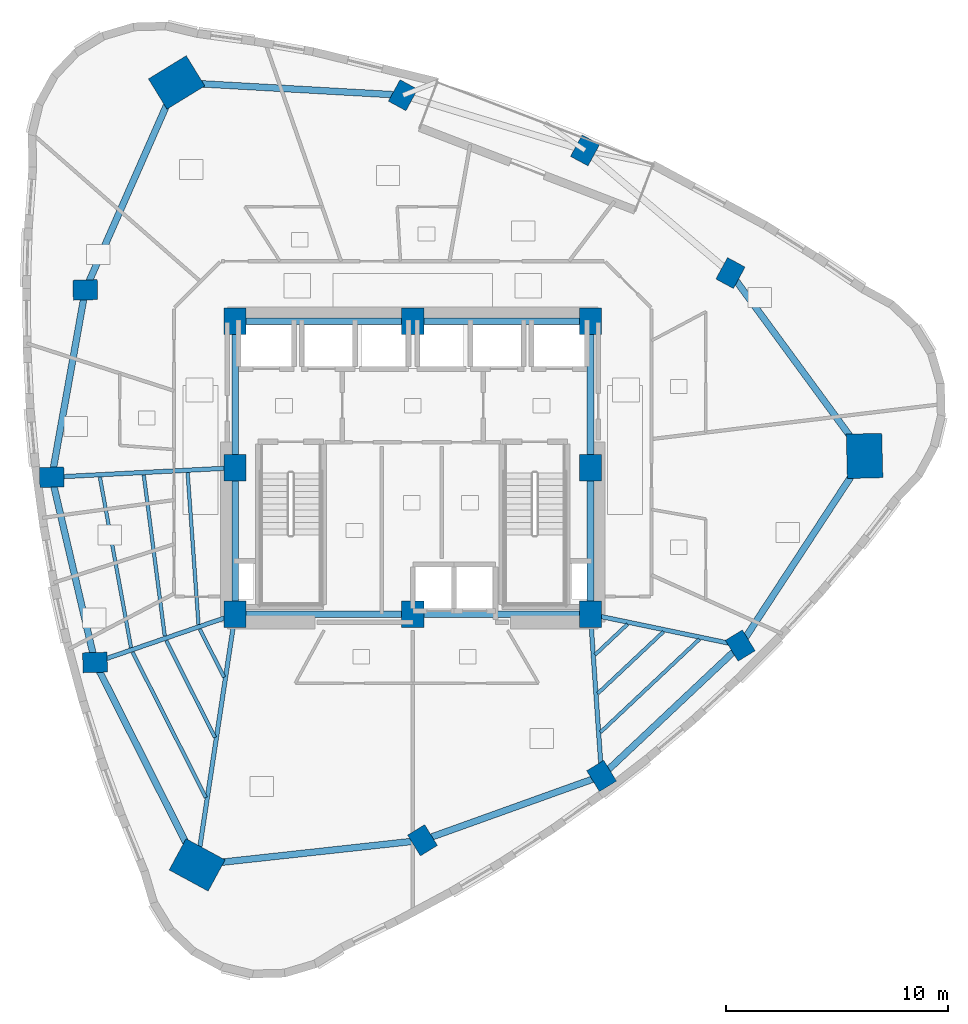
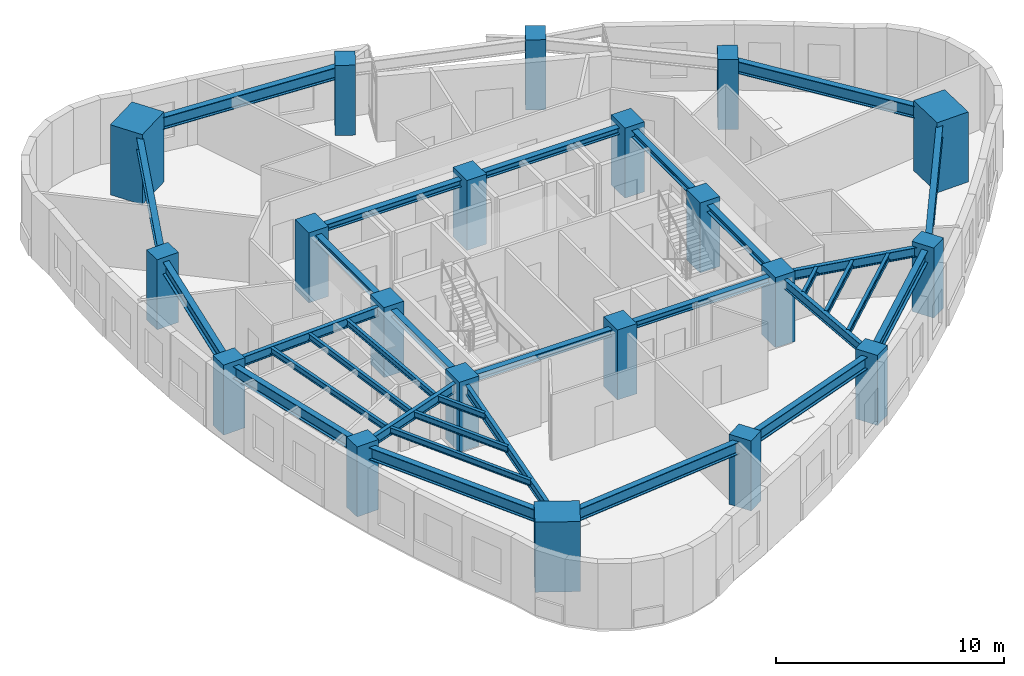
# One storey, part 1 of 12: 32 beams, 20 columns.
"""IFC4 building model written with IfcOpenShell, lengths in metres."""

from ifc_helpers import new_model, si_unit, direction, frame, origin, origin_2d, place, context, subcontext, project, spatial, rectangle, i_section, extrude, material, material_profile, profile_set, type_object, element, save


model = new_model("IFC4")

# Units and contexts
model_context = context("Model", 3, precision=1e-05, world=origin(), true_north=direction((0.0, 1.0)))
body_context = subcontext(model_context, "Body", "Model", "MODEL_VIEW")
ifc_project = project(units=[si_unit("LENGTHUNIT", "METRE"), si_unit("AREAUNIT", "SQUARE_METRE"), si_unit("VOLUMEUNIT", "CUBIC_METRE"), si_unit("PLANEANGLEUNIT", "RADIAN"), si_unit("MASSUNIT", "GRAM", prefix="KILO")], contexts=[model_context])

# Site, building, storey
site_placement = place(None, origin())
site = spatial("IfcSite", under=ifc_project, at=site_placement, CompositionType="ELEMENT")
building_placement = place(site_placement, origin())
building = spatial("IfcBuilding", under=site, at=building_placement, Name="Ndelora Gate Hotel", CompositionType="ELEMENT")
storey_placement = place(building_placement, frame((0.0, 0.0, 161.0)))
storey = spatial("IfcBuildingStorey", under=building, at=storey_placement, Name="L40", CompositionType="ELEMENT", Elevation=161.0)

# Columns
ifc_material_1 = material(Name="Concrete C60/75", Category="concrete")
ifc_material_profile_1 = material_profile(ifc_material_1, rectangle(XDim=1.0, YDim=1.199951171875, at=origin_2d()), Name="RC 1200x1000")
ifc_profile_set_1 = profile_set([ifc_material_profile_1], Name="Concrete C60/75")
column_type_1 = type_object("IfcColumnType", Name="COL-CC-MID", PredefinedType="COLUMN", material=ifc_profile_set_1)
for number, where, z_axis, x_axis, name in (
    (1, (-8.0, -6.60009765625, 0.0), (0.0, 0.0, 1.0), (1.0, 0.0, 0.0), "L40 Core Column CC1"),
    (2, (0.0, -6.60009765625, 0.0), (0.0, 0.0, 1.0), (1.0, 0.0, 0.0), "L40 Core Column CC2"),
    (3, (8.0, -6.60009765625, 0.0), (0.0, 0.0, 1.0), (1.0, 0.0, 0.0), "L40 Core Column CC3"),
    (4, (8.0, 0.0, 0.0), (0.0, 0.0, 1.0), (1.0, 0.0, 0.0), "L40 Core Column CC4"),
    (5, (8.0, 6.60009765625, 0.0), (0.0, 0.0, 1.0), (1.0, 0.0, 0.0), "L40 Core Column CC5"),
    (6, (0.0, 6.60009765625, 0.0), (0.0, 0.0, 1.0), (1.0, 0.0, 0.0), "L40 Core Column CC6"),
    (7, (-8.0, 6.60009765625, 0.0), (0.0, 0.0, 1.0), (1.0, 0.0, 0.0), "L40 Core Column CC7"),
    (8, (-8.0, 0.0, 0.0), (0.0, 0.0, 1.0), (1.0, 0.0, 0.0), "L40 Core Column CC8"),
):
    element("IfcColumn", number, at=place(storey_placement, frame(where, z_axis=z_axis, x_axis=x_axis)), inside=storey, type_object=column_type_1, Name=name, PredefinedType="COLUMN", context=body_context, shape_type="SweptSolid", body=[
        extrude(rectangle(XDim=1.0, YDim=1.199951171875, at=origin_2d()), origin(), (0.0, 0.0, 1.0), 3.75),
    ])
ifc_material_profile_2 = material_profile(ifc_material_1, rectangle(XDim=1.60009765625, YDim=2.0, at=origin_2d()), Name="RC 2000x1600")
ifc_profile_set_2 = profile_set([ifc_material_profile_2], Name="Concrete C60/75")
column_type_2 = type_object("IfcColumnType", Name="COL-MC-Z2", PredefinedType="COLUMN", material=ifc_profile_set_2)
for number, where, z_axis, x_axis, name in (
    (9, (-10.63330078125, 17.351806640625, 0.0), (0.0, 0.0, 1.0), (-0.522498564716, 0.852640164354, 0.0), "L40 Corner Mega-Column R1"),
    (10, (-9.71044921875, -17.884521484375, 0.0), (0.0, 0.0, 1.0), (0.47715876026, 0.878817112662, 0.0), "L40 Corner Mega-Column R5"),
    (11, (20.34375, 0.53271484375, 0.0), (0.0, 0.0, 1.0), (0.999657324976, 0.026176948308, 0.0), "L40 Corner Mega-Column R9"),
):
    element("IfcColumn", number, at=place(storey_placement, frame(where, z_axis=z_axis, x_axis=x_axis)), inside=storey, type_object=column_type_2, Name=name, PredefinedType="COLUMN", context=body_context, shape_type="SweptSolid", body=[
        extrude(rectangle(XDim=1.60009765625, YDim=2.0, at=origin_2d()), origin(), (0.0, 0.0, 1.0), 3.75),
    ])
ifc_material_profile_3 = material_profile(ifc_material_1, rectangle(XDim=0.89990234375, YDim=1.10009765625, at=origin_2d()), Name="RC 1100x900")
ifc_profile_set_3 = profile_set([ifc_material_profile_3], Name="Concrete C60/75")
column_type_3 = type_object("IfcColumnType", Name="COL-PT-Z2", PredefinedType="COLUMN", material=ifc_profile_set_3)
for number, where, z_axis, x_axis, name in (
    (12, (-14.74658203125, 8.006591796875, 0.0), (0.0, 0.0, 1.0), (-0.026176948308, 0.999657324976, 0.0), "L40 Perimeter Tube Column R2"),
    (13, (-16.25537109375, -0.42578125, 0.0), (0.0, 0.0, 1.0), (-0.026176948308, 0.999657324976, 0.0), "L40 Perimeter Tube Column R3"),
    (14, (-14.307373046875, -8.767578125, 0.0), (0.0, 0.0, 1.0), (-0.026176948308, 0.999657324976, 0.0), "L40 Perimeter Tube Column R4"),
    (15, (0.439208984375, -16.7744140625, 0.0), (0.0, 0.0, 1.0), (0.852640164354, 0.522498564716, 0.0), "L40 Perimeter Tube Column R6"),
    (16, (8.50439453125, -13.878173828125, 0.0), (0.0, 0.0, 1.0), (0.852640164354, 0.522498564716, 0.0), "L40 Perimeter Tube Column R7"),
    (17, (14.74658203125, -8.006591796875, 0.0), (0.0, 0.0, 1.0), (0.852640164354, 0.522498564716, 0.0), "L40 Perimeter Tube Column R8"),
    (18, (14.30712890625, 8.767333984375, 0.0), (0.0, 0.0, 1.0), (-0.878817112662, 0.47715876026, 0.0), "L40 Perimeter Tube Column R10"),
    (19, (7.759033203125, 14.290283203125, 0.0), (0.0, 0.0, 1.0), (-0.878817112662, 0.47715876026, 0.0), "L40 Perimeter Tube Column R11"),
    (20, (-0.439208984375, 16.7744140625, 0.0), (0.0, 0.0, 1.0), (-0.878817112662, 0.47715876026, 0.0), "L40 Perimeter Tube Column R12"),
):
    element("IfcColumn", number, at=place(storey_placement, frame(where, z_axis=z_axis, x_axis=x_axis)), inside=storey, type_object=column_type_3, Name=name, PredefinedType="COLUMN", context=body_context, shape_type="SweptSolid", body=[
        extrude(rectangle(XDim=0.89990234375, YDim=1.10009765625, at=origin_2d()), origin(), (0.0, 0.0, 1.0), 3.75),
    ])

# Beams
ifc_material_2 = material(Name="Steel S355", Category="steel")
ifc_material_profile_4 = material_profile(ifc_material_2, i_section(OverallWidth=0.300048828125, OverallDepth=0.360107421875, WebThickness=0.012451171875, FlangeThickness=0.0224609375, FilletRadius=0.027099609375, at=origin_2d()), Name="HEB 360")
ifc_profile_set_4 = profile_set([ifc_material_profile_4], Name="Steel S355")
beam_type_1 = type_object("IfcBeamType", Name="BM-CORE-360", PredefinedType="BEAM", material=ifc_profile_set_4)
for number, where, z_axis, x_axis, name in (
    (21, (-8.0, 6.60009765625, 3.320068359375), (1.0, 0.0, 0.0), (0.0, 1.0, 0.0), "L40 Core Tie Girder CC7-CC6"),
    (22, (0.0, 6.60009765625, 3.320068359375), (1.0, 0.0, 0.0), (0.0, 1.0, 0.0), "L40 Core Tie Girder CC6-CC5"),
):
    element("IfcBeam", number, at=place(storey_placement, frame(where, z_axis=z_axis, x_axis=x_axis)), inside=storey, type_object=beam_type_1, Name=name, PredefinedType="BEAM", context=body_context, shape_type="SweptSolid", body=[
        extrude(i_section(OverallWidth=0.300048828125, OverallDepth=0.360107421875, WebThickness=0.012451171875, FlangeThickness=0.0224609375, FilletRadius=0.027099609375, at=origin_2d()), origin(), (0.0, 0.0, 1.0), 8.0),
    ])
for number, where, z_axis, x_axis, name in (
    (23, (-8.0, -6.60009765625, 3.320068359375), (0.0, 1.0, 0.0), (-1.0, 0.0, 0.0), "L40 Core Tie Girder CC1-CC8"),
    (24, (-8.0, 0.0, 3.320068359375), (0.0, 1.0, 0.0), (-1.0, 0.0, 0.0), "L40 Core Tie Girder CC8-CC7"),
    (25, (8.0, -6.60009765625, 3.320068359375), (0.0, 1.0, 0.0), (-1.0, 0.0, 0.0), "L40 Core Tie Girder CC3-CC4"),
    (26, (8.0, 0.0, 3.320068359375), (0.0, 1.0, 0.0), (-1.0, 0.0, 0.0), "L40 Core Tie Girder CC4-CC5"),
):
    element("IfcBeam", number, at=place(storey_placement, frame(where, z_axis=z_axis, x_axis=x_axis)), inside=storey, type_object=beam_type_1, Name=name, PredefinedType="BEAM", context=body_context, shape_type="SweptSolid", body=[
        extrude(i_section(OverallWidth=0.300048828125, OverallDepth=0.360107421875, WebThickness=0.012451171875, FlangeThickness=0.0224609375, FilletRadius=0.027099609375, at=origin_2d()), origin(), (0.0, 0.0, 1.0), 6.60009765625),
    ])
for number, where, z_axis, x_axis, name in (
    (27, (-8.0, -6.60009765625, 3.320068359375), (1.0, 0.0, 0.0), (0.0, 1.0, 0.0), "L40 Core Tie Girder CC1-CC2"),
    (28, (0.0, -6.60009765625, 3.320068359375), (1.0, 0.0, 0.0), (0.0, 1.0, 0.0), "L40 Core Tie Girder CC2-CC3"),
):
    element("IfcBeam", number, at=place(storey_placement, frame(where, z_axis=z_axis, x_axis=x_axis)), inside=storey, type_object=beam_type_1, Name=name, PredefinedType="BEAM", context=body_context, shape_type="SweptSolid", body=[
        extrude(i_section(OverallWidth=0.300048828125, OverallDepth=0.360107421875, WebThickness=0.012451171875, FlangeThickness=0.0224609375, FilletRadius=0.027099609375, at=origin_2d()), origin(), (0.0, 0.0, 1.0), 8.0),
    ])
ifc_material_profile_5 = material_profile(ifc_material_2, i_section(OverallWidth=0.159912109375, OverallDepth=0.330078125, WebThickness=0.007568359375, FlangeThickness=0.011474609375, FilletRadius=0.01806640625, at=origin_2d()), Name="IPE 330")
ifc_profile_set_5 = profile_set([ifc_material_profile_5], Name="Steel S355")
beam_type_2 = type_object("IfcBeamType", Name="BM-JST-330", PredefinedType="JOIST", material=ifc_profile_set_5)
beam_1_placement = place(storey_placement, frame((-10.138427734375, -0.220458984375, 3.3349609375), z_axis=(0.07162945927, -0.997431311201, 0.0), x_axis=(0.997431311201, 0.07162945927, 0.0)))
element("IfcBeam", 29, at=beam_1_placement, inside=storey, type_object=beam_type_2, Name="L40 Secondary Composite Floor Joist IN-3", PredefinedType="JOIST", context=body_context, shape_type="SweptSolid", body=[
    extrude(i_section(OverallWidth=0.159912109375, OverallDepth=0.330078125, WebThickness=0.007568359375, FlangeThickness=0.011474609375, FilletRadius=0.01806640625, at=origin_2d()), origin(), (0.0, 0.0, 1.0), 6.850830078125),
])
beam_2_placement = place(storey_placement, frame((-12.113525390625, -0.322021484375, 3.3349609375), z_axis=(0.12927924943, -0.991608226906, 0.0), x_axis=(0.991608226906, 0.12927924943, 0.0)))
element("IfcBeam", 30, at=beam_2_placement, inside=storey, type_object=beam_type_2, Name="L40 Secondary Composite Floor Joist MID-3", PredefinedType="JOIST", context=body_context, shape_type="SweptSolid", body=[
    extrude(i_section(OverallWidth=0.159912109375, OverallDepth=0.330078125, WebThickness=0.007568359375, FlangeThickness=0.011474609375, FilletRadius=0.01806640625, at=origin_2d()), origin(), (0.0, 0.0, 1.0), 7.31396484375),
])
beam_3_placement = place(storey_placement, frame((-14.089111328125, -0.423095703125, 3.3349609375), z_axis=(0.179733770179, -0.983715290039, 0.0), x_axis=(0.983715290039, 0.179733770179, 0.0)))
element("IfcBeam", 31, at=beam_3_placement, inside=storey, type_object=beam_type_2, Name="L40 Secondary Composite Floor Joist OUT-3", PredefinedType="JOIST", context=body_context, shape_type="SweptSolid", body=[
    extrude(i_section(OverallWidth=0.159912109375, OverallDepth=0.330078125, WebThickness=0.007568359375, FlangeThickness=0.011474609375, FilletRadius=0.01806640625, at=origin_2d()), origin(), (0.0, 0.0, 1.0), 7.799560546875),
])
beam_4_placement = place(storey_placement, frame((-9.59033203125, -7.26171875, 3.3349609375), z_axis=(0.450139260243, -0.892958367668, 0.0), x_axis=(0.892958367668, 0.450139260243, 0.0)))
element("IfcBeam", 32, at=beam_4_placement, inside=storey, type_object=beam_type_2, Name="L40 Secondary Composite Floor Joist IN-4", PredefinedType="JOIST", context=body_context, shape_type="SweptSolid", body=[
    extrude(i_section(OverallWidth=0.159912109375, OverallDepth=0.330078125, WebThickness=0.007568359375, FlangeThickness=0.011474609375, FilletRadius=0.01806640625, at=origin_2d()), origin(), (0.0, 0.0, 1.0), 2.4345703125),
])
beam_5_placement = place(storey_placement, frame((-11.10400390625, -7.781982421875, 3.3349609375), z_axis=(0.450189724408, -0.892932926953, 0.0), x_axis=(0.892932926953, 0.450189724408, 0.0)))
element("IfcBeam", 33, at=beam_5_placement, inside=storey, type_object=beam_type_2, Name="L40 Secondary Composite Floor Joist MID-4", PredefinedType="JOIST", context=body_context, shape_type="SweptSolid", body=[
    extrude(i_section(OverallWidth=0.159912109375, OverallDepth=0.330078125, WebThickness=0.007568359375, FlangeThickness=0.011474609375, FilletRadius=0.01806640625, at=origin_2d()), origin(), (0.0, 0.0, 1.0), 4.885009765625),
])
beam_6_placement = place(storey_placement, frame((-12.617919921875, -8.30224609375, 3.3349609375), z_axis=(0.45023300903, -0.892911102843, 0.0), x_axis=(0.892911102843, 0.45023300903, 0.0)))
element("IfcBeam", 34, at=beam_6_placement, inside=storey, type_object=beam_type_2, Name="L40 Secondary Composite Floor Joist OUT-4", PredefinedType="JOIST", context=body_context, shape_type="SweptSolid", body=[
    extrude(i_section(OverallWidth=0.159912109375, OverallDepth=0.330078125, WebThickness=0.007568359375, FlangeThickness=0.011474609375, FilletRadius=0.01806640625, at=origin_2d()), origin(), (0.0, 0.0, 1.0), 7.335693359375),
])
beam_7_placement = place(storey_placement, frame((8.211181640625, -8.4169921875, 3.3349609375), z_axis=(0.728414088998, 0.685137150466, 0.0), x_axis=(-0.685137150466, 0.728414088998, 0.0)))
element("IfcBeam", 35, at=beam_7_placement, inside=storey, type_object=beam_type_2, Name="L40 Secondary Composite Floor Joist IN-7", PredefinedType="JOIST", context=body_context, shape_type="SweptSolid", body=[
    extrude(i_section(OverallWidth=0.159912109375, OverallDepth=0.330078125, WebThickness=0.007568359375, FlangeThickness=0.011474609375, FilletRadius=0.01806640625, at=origin_2d()), origin(), (0.0, 0.0, 1.0), 2.00830078125),
])
beam_8_placement = place(storey_placement, frame((8.33251953125, -10.163818359375, 3.3349609375), z_axis=(0.728369245526, 0.685184823366, 0.0), x_axis=(-0.685184823366, 0.728369245526, 0.0)))
element("IfcBeam", 36, at=beam_8_placement, inside=storey, type_object=beam_type_2, Name="L40 Secondary Composite Floor Joist MID-7", PredefinedType="JOIST", context=body_context, shape_type="SweptSolid", body=[
    extrude(i_section(OverallWidth=0.159912109375, OverallDepth=0.330078125, WebThickness=0.007568359375, FlangeThickness=0.011474609375, FilletRadius=0.01806640625, at=origin_2d()), origin(), (0.0, 0.0, 1.0), 4.06494140625),
])
beam_9_placement = place(storey_placement, frame((8.45361328125, -11.910400390625, 3.3349609375), z_axis=(0.728393161111, 0.68515939959, 0.0), x_axis=(-0.68515939959, 0.728393161111, 0.0)))
element("IfcBeam", 37, at=beam_9_placement, inside=storey, type_object=beam_type_2, Name="L40 Secondary Composite Floor Joist OUT-7", PredefinedType="JOIST", context=body_context, shape_type="SweptSolid", body=[
    extrude(i_section(OverallWidth=0.159912109375, OverallDepth=0.330078125, WebThickness=0.007568359375, FlangeThickness=0.011474609375, FilletRadius=0.01806640625, at=origin_2d()), origin(), (0.0, 0.0, 1.0), 6.121337890625),
])
ifc_material_profile_6 = material_profile(ifc_material_2, i_section(OverallWidth=0.199951171875, OverallDepth=0.5, WebThickness=0.01025390625, FlangeThickness=0.01611328125, FilletRadius=0.02099609375, at=origin_2d()), Name="IPE 500")
ifc_profile_set_6 = profile_set([ifc_material_profile_6], Name="Steel S355")
beam_type_3 = type_object("IfcBeamType", Name="BM-RAD-500", PredefinedType="BEAM", material=ifc_profile_set_6)
beam_10_placement = place(storey_placement, frame((-8.0, 0.0, 3.25), z_axis=(-0.998672591881, -0.051507807424, 0.0), x_axis=(0.051507807424, -0.998672591881, 0.0)))
element("IfcBeam", 38, at=beam_10_placement, inside=storey, type_object=beam_type_3, Name="L40 Radial Floor Girder 3", PredefinedType="BEAM", context=body_context, shape_type="SweptSolid", body=[
    extrude(i_section(OverallWidth=0.199951171875, OverallDepth=0.5, WebThickness=0.01025390625, FlangeThickness=0.01611328125, FilletRadius=0.02099609375, at=origin_2d()), origin(), (0.0, 0.0, 1.0), 8.266357421875),
])
beam_11_placement = place(storey_placement, frame((-8.0, -6.60009765625, 3.25), z_axis=(-0.945717893913, -0.324988715392, 0.0), x_axis=(0.324988715392, -0.945717893913, 0.0)))
element("IfcBeam", 39, at=beam_11_placement, inside=storey, type_object=beam_type_3, Name="L40 Radial Floor Girder 4", PredefinedType="BEAM", context=body_context, shape_type="SweptSolid", body=[
    extrude(i_section(OverallWidth=0.199951171875, OverallDepth=0.5, WebThickness=0.01025390625, FlangeThickness=0.01611328125, FilletRadius=0.02099609375, at=origin_2d()), origin(), (0.0, 0.0, 1.0), 6.66943359375),
])
beam_12_placement = place(storey_placement, frame((-8.0, -6.60009765625, 3.25), z_axis=(-0.149864309615, -0.988706573612, 0.0), x_axis=(0.988706573612, -0.149864309615, 0.0)))
element("IfcBeam", 40, at=beam_12_placement, inside=storey, type_object=beam_type_3, Name="L40 Radial Floor Girder 5", PredefinedType="BEAM", context=body_context, shape_type="SweptSolid", body=[
    extrude(i_section(OverallWidth=0.199951171875, OverallDepth=0.5, WebThickness=0.01025390625, FlangeThickness=0.01611328125, FilletRadius=0.02099609375, at=origin_2d()), origin(), (0.0, 0.0, 1.0), 11.413330078125),
])
beam_13_placement = place(storey_placement, frame((8.0, -6.60009765625, 3.25), z_axis=(0.069137444551, -0.997607144001, 0.0), x_axis=(0.997607144001, 0.069137444551, 0.0)))
element("IfcBeam", 41, at=beam_13_placement, inside=storey, type_object=beam_type_3, Name="L40 Radial Floor Girder 7", PredefinedType="BEAM", context=body_context, shape_type="SweptSolid", body=[
    extrude(i_section(OverallWidth=0.199951171875, OverallDepth=0.5, WebThickness=0.01025390625, FlangeThickness=0.01611328125, FilletRadius=0.02099609375, at=origin_2d()), origin(), (0.0, 0.0, 1.0), 7.295654296875),
])
beam_14_placement = place(storey_placement, frame((8.0, -6.60009765625, 3.25), z_axis=(0.978952706778, -0.204087231083, 0.0), x_axis=(0.204087231083, 0.978952706778, 0.0)))
element("IfcBeam", 42, at=beam_14_placement, inside=storey, type_object=beam_type_3, Name="L40 Radial Floor Girder 8", PredefinedType="BEAM", context=body_context, shape_type="SweptSolid", body=[
    extrude(i_section(OverallWidth=0.199951171875, OverallDepth=0.5, WebThickness=0.01025390625, FlangeThickness=0.01611328125, FilletRadius=0.02099609375, at=origin_2d()), origin(), (0.0, 0.0, 1.0), 6.8916015625),
])
ifc_material_profile_7 = material_profile(ifc_material_2, i_section(OverallWidth=0.300048828125, OverallDepth=0.64990234375, WebThickness=0.01611328125, FlangeThickness=0.031005859375, FilletRadius=0.027099609375, at=origin_2d()), Name="HEB 650")
ifc_profile_set_7 = profile_set([ifc_material_profile_7], Name="Steel S355")
beam_type_4 = type_object("IfcBeamType", Name="BM-RING-650", PredefinedType="SPANDREL", material=ifc_profile_set_7)
beam_15_placement = place(storey_placement, frame((-10.63330078125, 17.351806640625, 3.175048828125), z_axis=(-0.402852396707, -0.915264959707, 0.0), x_axis=(0.915264959707, -0.402852396707, 0.0)))
element("IfcBeam", 43, at=beam_15_placement, inside=storey, type_object=beam_type_4, Name="L40 Perimeter Spandrel Girder 1", PredefinedType="SPANDREL", context=body_context, shape_type="SweptSolid", body=[
    extrude(i_section(OverallWidth=0.300048828125, OverallDepth=0.64990234375, WebThickness=0.01611328125, FlangeThickness=0.031005859375, FilletRadius=0.027099609375, at=origin_2d()), origin(), (0.0, 0.0, 1.0), 10.21044921875),
])
beam_16_placement = place(storey_placement, frame((-14.74658203125, 8.006591796875, 3.175048828125), z_axis=(-0.176130938817, -0.984366746894, 0.0), x_axis=(0.984366746894, -0.176130938817, 0.0)))
element("IfcBeam", 44, at=beam_16_placement, inside=storey, type_object=beam_type_4, Name="L40 Perimeter Spandrel Girder 2", PredefinedType="SPANDREL", context=body_context, shape_type="SweptSolid", body=[
    extrude(i_section(OverallWidth=0.300048828125, OverallDepth=0.64990234375, WebThickness=0.01611328125, FlangeThickness=0.031005859375, FilletRadius=0.027099609375, at=origin_2d()), origin(), (0.0, 0.0, 1.0), 8.56640625),
])
beam_17_placement = place(storey_placement, frame((-16.25537109375, -0.42578125, 3.175048828125), z_axis=(0.227404398157, -0.973800410607, 0.0), x_axis=(0.973800410607, 0.227404398157, 0.0)))
element("IfcBeam", 45, at=beam_17_placement, inside=storey, type_object=beam_type_4, Name="L40 Perimeter Spandrel Girder 3", PredefinedType="SPANDREL", context=body_context, shape_type="SweptSolid", body=[
    extrude(i_section(OverallWidth=0.300048828125, OverallDepth=0.64990234375, WebThickness=0.01611328125, FlangeThickness=0.031005859375, FilletRadius=0.027099609375, at=origin_2d()), origin(), (0.0, 0.0, 1.0), 8.566162109375),
])
for number, where, z_axis, x_axis, name in (
    (46, (-14.307373046875, -8.767578125, 3.175048828125), (0.450223868811, -0.892915711561, 0.0), (0.892915711561, 0.450223868811, 0.0), "L40 Perimeter Spandrel Girder 4"),
    (47, (-9.71044921875, -17.884521484375, 3.175048828125), (0.994071812898, 0.108725483685, 0.0), (-0.108725483685, 0.994071812898, 0.0), "L40 Perimeter Spandrel Girder 5"),
):
    element("IfcBeam", number, at=place(storey_placement, frame(where, z_axis=z_axis, x_axis=x_axis)), inside=storey, type_object=beam_type_4, Name=name, PredefinedType="SPANDREL", context=body_context, shape_type="SweptSolid", body=[
        extrude(i_section(OverallWidth=0.300048828125, OverallDepth=0.64990234375, WebThickness=0.01611328125, FlangeThickness=0.031005859375, FilletRadius=0.027099609375, at=origin_2d()), origin(), (0.0, 0.0, 1.0), 10.210205078125),
    ])
beam_18_placement = place(storey_placement, frame((0.439208984375, -16.7744140625, 3.175048828125), z_axis=(0.941155870835, 0.337972819607, 0.0), x_axis=(-0.337972819607, 0.941155870835, 0.0)))
element("IfcBeam", 48, at=beam_18_placement, inside=storey, type_object=beam_type_4, Name="L40 Perimeter Spandrel Girder 6", PredefinedType="SPANDREL", context=body_context, shape_type="SweptSolid", body=[
    extrude(i_section(OverallWidth=0.300048828125, OverallDepth=0.64990234375, WebThickness=0.01611328125, FlangeThickness=0.031005859375, FilletRadius=0.027099609375, at=origin_2d()), origin(), (0.0, 0.0, 1.0), 8.5693359375),
])
beam_19_placement = place(storey_placement, frame((8.50439453125, -13.878173828125, 3.175048828125), z_axis=(0.728399016952, 0.68515317419, 0.0), x_axis=(-0.68515317419, 0.728399016952, 0.0)))
element("IfcBeam", 49, at=beam_19_placement, inside=storey, type_object=beam_type_4, Name="L40 Perimeter Spandrel Girder 7", PredefinedType="SPANDREL", context=body_context, shape_type="SweptSolid", body=[
    extrude(i_section(OverallWidth=0.300048828125, OverallDepth=0.64990234375, WebThickness=0.01611328125, FlangeThickness=0.031005859375, FilletRadius=0.027099609375, at=origin_2d()), origin(), (0.0, 0.0, 1.0), 8.56982421875),
])
for number, where, z_axis, x_axis, name in (
    (50, (14.74658203125, -8.006591796875, 3.175048828125), (0.548194123818, 0.836351123998, 0.0), (-0.836351123998, 0.548194123818, 0.0), "L40 Perimeter Spandrel Girder 8"),
    (51, (20.34375, 0.53271484375, 3.175048828125), (-0.591229932094, 0.806503048597, 0.0), (-0.806503048597, -0.591229932094, 0.0), "L40 Perimeter Spandrel Girder 9"),
):
    element("IfcBeam", number, at=place(storey_placement, frame(where, z_axis=z_axis, x_axis=x_axis)), inside=storey, type_object=beam_type_4, Name=name, PredefinedType="SPANDREL", context=body_context, shape_type="SweptSolid", body=[
        extrude(i_section(OverallWidth=0.300048828125, OverallDepth=0.64990234375, WebThickness=0.01611328125, FlangeThickness=0.031005859375, FilletRadius=0.027099609375, at=origin_2d()), origin(), (0.0, 0.0, 1.0), 10.210205078125),
    ])
beam_20_placement = place(storey_placement, frame((-0.439208984375, 16.7744140625, 3.175048828125), z_axis=(-0.998399808671, 0.056549288648, 0.0), x_axis=(-0.056549288648, -0.998399808671, 0.0)))
element("IfcBeam", 52, at=beam_20_placement, inside=storey, type_object=beam_type_4, Name="L40 Perimeter Spandrel Girder 12", PredefinedType="SPANDREL", context=body_context, shape_type="SweptSolid", body=[
    extrude(i_section(OverallWidth=0.300048828125, OverallDepth=0.64990234375, WebThickness=0.01611328125, FlangeThickness=0.031005859375, FilletRadius=0.027099609375, at=origin_2d()), origin(), (0.0, 0.0, 1.0), 10.21044921875),
])

save(model, "model.ifc")
